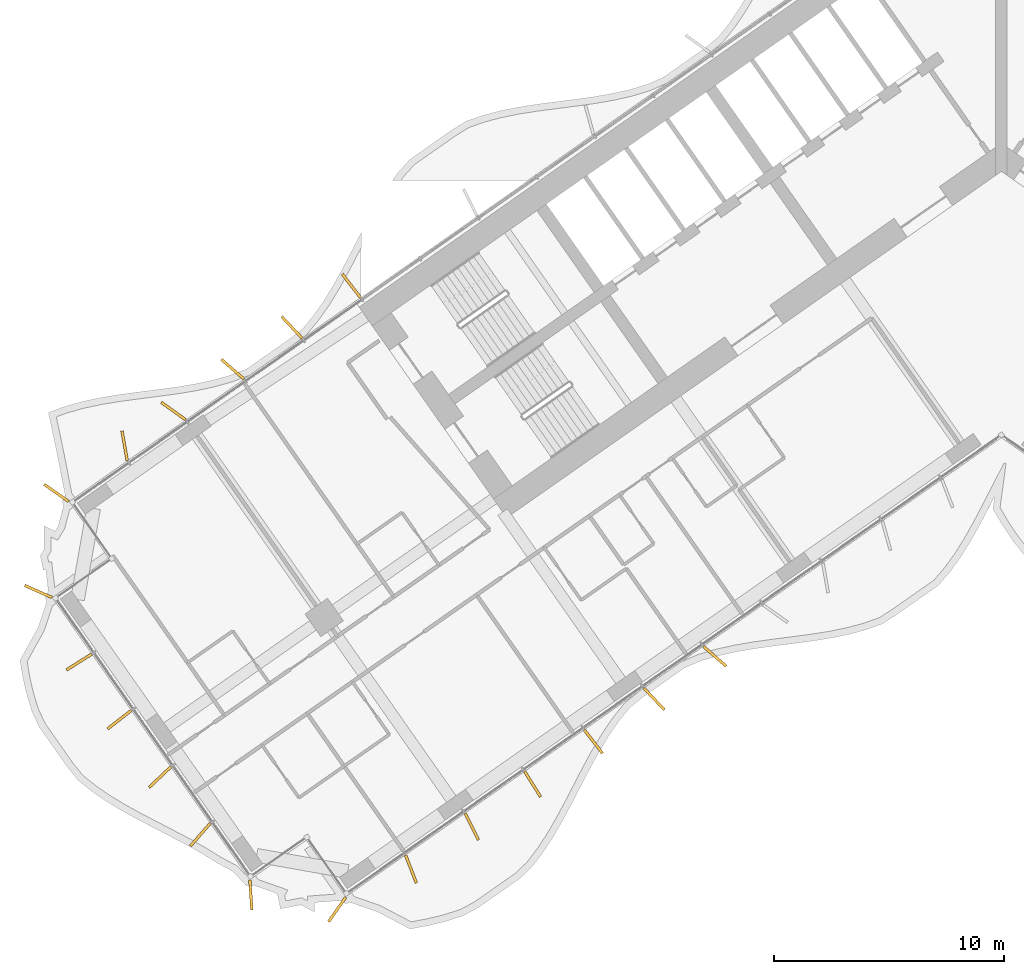
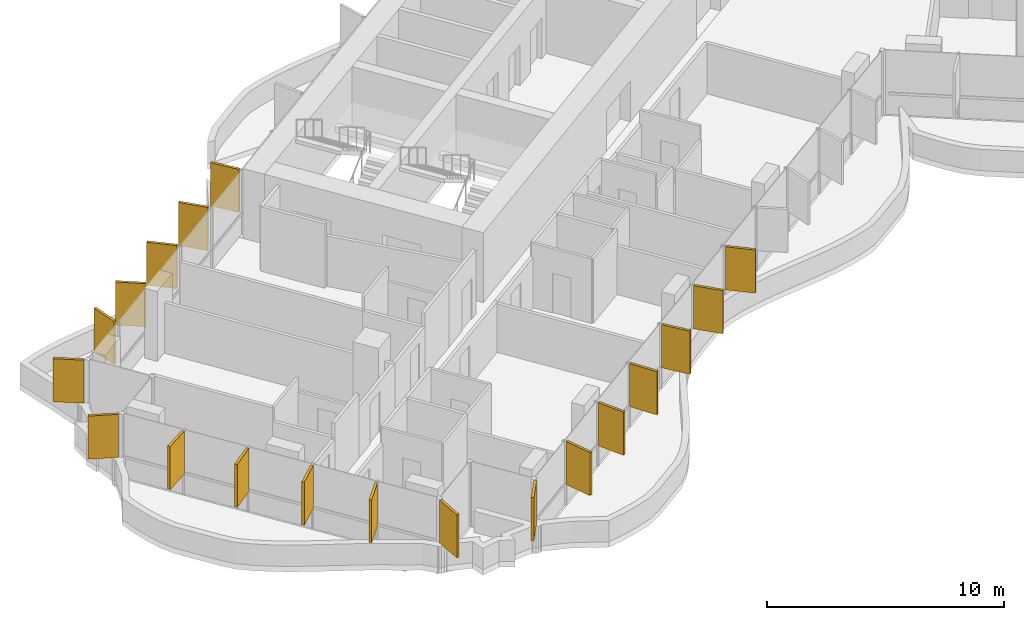
# One storey, part 18 of 23: 19 shading devices.
"""IFC4 building model written with IfcOpenShell, lengths in metres."""

from ifc_helpers import new_model, si_unit, direction, frame, origin, origin_2d, place, context, subcontext, project, spatial, rectangle, extrude, material, layer, layer_set, type_object, element, save


model = new_model("IFC4")

# Units and contexts
model_context = context("Model", 3, precision=1e-05, world=origin(), true_north=direction((0.0, 1.0)))
body_context = subcontext(model_context, "Body", "Model", "MODEL_VIEW")
ifc_project = project(units=[si_unit("LENGTHUNIT", "METRE"), si_unit("AREAUNIT", "SQUARE_METRE"), si_unit("VOLUMEUNIT", "CUBIC_METRE"), si_unit("PLANEANGLEUNIT", "RADIAN"), si_unit("MASSUNIT", "GRAM", prefix="KILO")], contexts=[model_context])

# Site, building, storey
site_placement = place(None, origin())
site = spatial("IfcSite", under=ifc_project, at=site_placement, CompositionType="ELEMENT")
building_placement = place(site_placement, origin())
building = spatial("IfcBuilding", under=site, at=building_placement, Name="Tel Ilan Convention Tower", CompositionType="ELEMENT")
storey_placement = place(building_placement, frame((0.0, 0.0, 108.5)))
storey = spatial("IfcBuildingStorey", under=building, at=storey_placement, Name="L23", CompositionType="ELEMENT", Elevation=108.5)

# Shading devices
ifc_material = material(Name="Aluminium, bronze anodised", Category="aluminium")
ifc_layer = layer(ifc_material, 0.1201171875)
ifc_layer_set = layer_set([ifc_layer], Name="FIN BRONZE 1300x120")
shading_device_type = type_object("IfcShadingDeviceType", Name="FIN BRONZE 1300x120", PredefinedType="USERDEFINED", material=ifc_layer_set)
for number, where, z_axis, x_axis, name in (
    (1, (-28.3056640625, -6.206298828125, 1.10009765625), (0.0, 0.0, 1.0), (-0.612600545196, 0.790392669516, 0.0), "FIN"),
    (2, (-30.893798828125, -8.018798828125, 1.10009765625), (0.0, 0.0, 1.0), (-0.686241637865, 0.727373641577, 0.0), "FIN"),
    (3, (-33.477783203125, -9.8359375, 1.10009765625), (0.0, 0.0, 1.0), (-0.753435896329, 0.657521368568, 0.0), "FIN"),
    (4, (-36.056884765625, -11.6572265625, 1.10009765625), (0.0, 0.0, 1.0), (-0.813552070258, 0.581492071294, 0.0), "FIN"),
    (5, (-38.180908203125, -13.1669921875, 1.10009765625), (0.0, 0.0, 1.0), (-0.173648177667, 0.984807753012, 0.0), "FIN"),
    (6, (-41.147705078125, -15.226806640625, 1.10009765625), (0.0, 0.0, 1.0), (-0.819152044289, 0.573576436351, 0.0), "FIN"),
    (7, (-41.935546875, -19.516357421875, 1.10009765625), (0.0, 0.0, 1.0), (-0.914332505315, 0.404964282034, 0.0), "FIN"),
    (8, (-40.15869140625, -22.58740234375, 1.10009765625), (0.0, 0.0, 1.0), (-0.845986425922, -0.533204432798, 0.0), "FIN"),
    (9, (-38.40185546875, -25.096435546875, 1.10009765625), (0.0, 0.0, 1.0), (-0.790392669516, -0.612600545196, 0.0), "FIN"),
    (10, (-36.644775390625, -27.605224609375, 1.10009765625), (0.0, 0.0, 1.0), (-0.727373641577, -0.686241637865, 0.0), "FIN"),
    (11, (-34.88330078125, -30.109619140625, 1.10009765625), (0.0, 0.0, 1.0), (-0.657521368568, -0.753435896329, 0.0), "FIN"),
    (12, (-32.68212890625, -32.7314453125, 1.10009765625), (0.0, 0.0, 1.0), (0.067821812994, -0.997697449973, 0.0), "FIN"),
    (13, (-28.9228515625, -33.363037109375, 1.10009765625), (0.0, 0.0, 1.0), (-0.573576436351, -0.819152044289, 0.0), "FIN"),
    (14, (-25.70849609375, -31.606689453125, 1.10009765625), (0.0, 0.0, 1.0), (0.360177724803, -0.932883704733, 0.0), "FIN"),
    (15, (-23.05908203125, -29.759521484375, 1.10009765625), (0.0, 0.0, 1.0), (0.448799180206, -0.893632640321, 0.0), "FIN"),
    (16, (-20.41259765625, -27.90673828125, 1.10009765625), (0.0, 0.0, 1.0), (0.533204432798, -0.845986425922, 0.0), "FIN"),
    (17, (-17.765869140625, -26.053466796875, 1.10009765625), (0.0, 0.0, 1.0), (0.612600545196, -0.790392669516, 0.0), "FIN"),
    (18, (-15.11962890625, -24.2001953125, 1.10009765625), (0.0, 0.0, 1.0), (0.686241637865, -0.727373641577, 0.0), "FIN"),
    (19, (-12.4775390625, -22.34228515625, 1.10009765625), (0.0, 0.0, 1.0), (0.753435896329, -0.657521368568, 0.0), "FIN"),
):
    element("IfcShadingDevice", number, at=place(storey_placement, frame(where, z_axis=z_axis, x_axis=x_axis)), inside=storey, type_object=shading_device_type, Name=name, ObjectType="FIN", PredefinedType="USERDEFINED", context=body_context, shape_type="SweptSolid", body=[
        extrude(rectangle(XDim=1.300048828125, YDim=0.1201171875, at=origin_2d()), origin(), (0.0, 0.0, 1.0), 2.219970703125),
    ])

save(model, "model.ifc")
